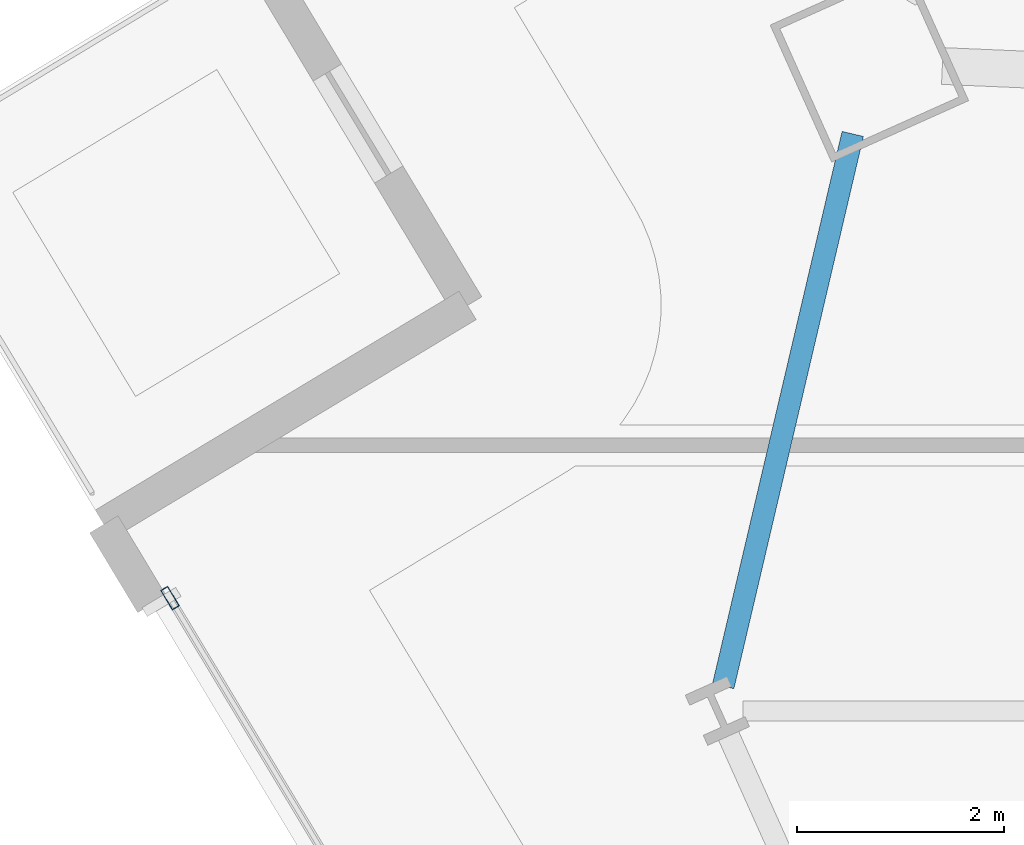
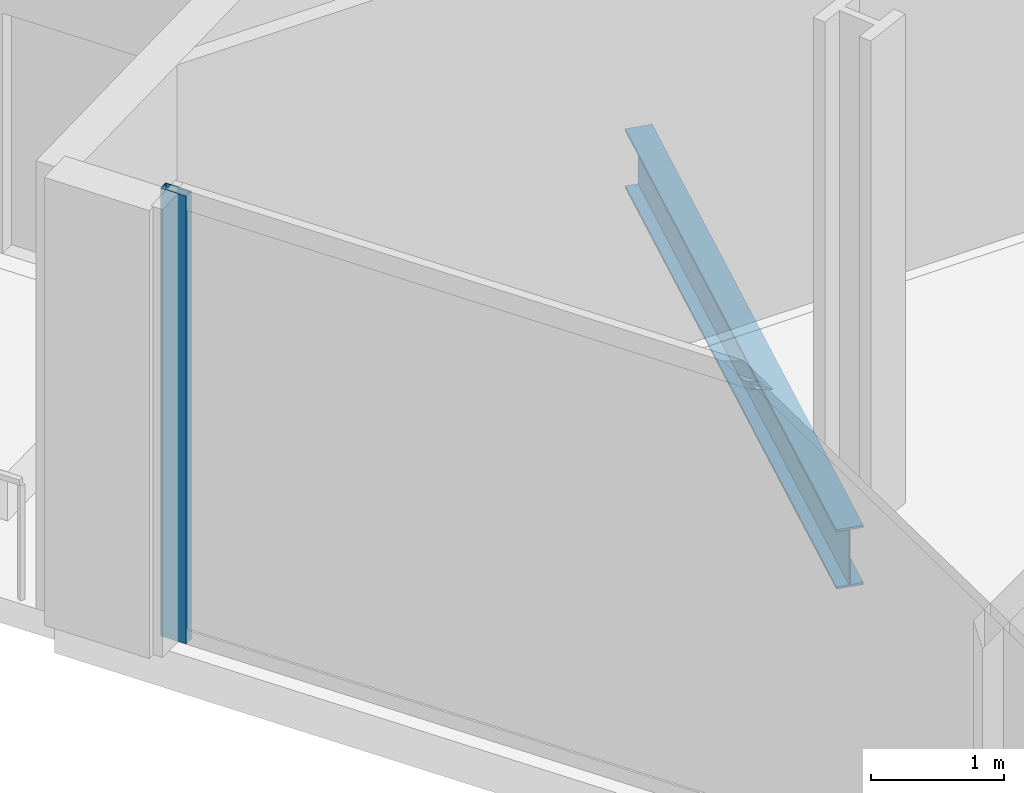
# One storey, part 11 of 30: 1 beam, 1 member, 1 element without a shape of its own.
"""IFC4 building model written with IfcOpenShell, lengths in metres."""

from ifc_helpers import new_model, si_unit, direction, frame, origin, origin_2d, place, context, subcontext, project, spatial, hollow_rectangle, i_section, extrude, material, material_profile, profile_set, type_object, element, aggregate, save


model = new_model("IFC4")

# Units and contexts
model_context = context("Model", 3, precision=1e-05, world=origin(), true_north=direction((0.0, 1.0)))
body_context = subcontext(model_context, "Body", "Model", "MODEL_VIEW")
ifc_project = project(units=[si_unit("LENGTHUNIT", "METRE"), si_unit("AREAUNIT", "SQUARE_METRE"), si_unit("VOLUMEUNIT", "CUBIC_METRE"), si_unit("PLANEANGLEUNIT", "RADIAN"), si_unit("MASSUNIT", "GRAM", prefix="KILO")], contexts=[model_context])

# Site, building, storey
site_placement = place(None, origin())
site = spatial("IfcSite", under=ifc_project, at=site_placement, CompositionType="ELEMENT")
building_placement = place(site_placement, origin())
building = spatial("IfcBuilding", under=site, at=building_placement, Name="Haldenkirk Collegiate Tower", CompositionType="ELEMENT")
storey_placement = place(building_placement, frame((0.0, 0.0, 131.699951171875)))
storey = spatial("IfcBuildingStorey", under=building, at=storey_placement, Name="L32", CompositionType="ELEMENT", Elevation=131.699951171875)

# Beam
ifc_material_1 = material(Name="Steel ASTM A992 Grade 50", Category="steel")
ifc_material_profile_1 = material_profile(ifc_material_1, i_section(OverallWidth=0.2119140625, OverallDepth=0.5439453125, WebThickness=0.01318359375, FlangeThickness=0.021240234375, at=origin_2d()), Name="W21X83")
ifc_profile_set_1 = profile_set([ifc_material_profile_1], Name="Steel ASTM A992 Grade 50")
beam_type = type_object("IfcBeamType", Name="BM-SPANDREL-W21X83", PredefinedType="SPANDREL", material=ifc_profile_set_1)
beam_placement = place(storey_placement, frame((10.624755859375, 34.0087890625, -0.6220703125), z_axis=(-0.228373515871, -0.97357359108, 0.0), x_axis=(0.97357359108, -0.228373515871, 0.0)))
element("IfcBeam", 1, at=beam_placement, inside=storey, type_object=beam_type, Name="L32 perimeter spandrel beam 13", PredefinedType="SPANDREL", context=body_context, shape_type="SweptSolid", body=[
    extrude(i_section(OverallWidth=0.2119140625, OverallDepth=0.5439453125, WebThickness=0.01318359375, FlangeThickness=0.021240234375, at=origin_2d()), origin(), (0.0, 0.0, 1.0), 5.477783203125),
])

# Curtain wall, member
ifc_material_2 = material(Name="Anodised architectural bronze aluminium", Category="aluminium")
curtain_wall_type = type_object("IfcCurtainWallType", Name="CW-SYS1-CONVEX-LOW", PredefinedType="USERDEFINED", material=ifc_material_2)
curtain_wall_placement = place(storey_placement, origin())
curtain_wall = element("IfcCurtainWall", 2, at=curtain_wall_placement, inside=storey, type_object=curtain_wall_type, Name="L32 Lower tower convex bronze-framed unitised curtain wall", ObjectType="UNITISED CURTAIN WALL", PredefinedType="USERDEFINED")
ifc_material_profile_2 = material_profile(ifc_material_2, hollow_rectangle(XDim=0.080078125, YDim=0.219970703125, WallThickness=0.0048828125, at=origin_2d()), Name="CW-MUL-1A")
ifc_profile_set_2 = profile_set([ifc_material_profile_2], Name="Anodised architectural bronze aluminium")
member_type = type_object("IfcMemberType", Name="CW-MUL-1A", PredefinedType="MULLION", material=ifc_profile_set_2)
member_placement = place(storey_placement, frame((4.03076171875, 29.52587890625, 0.0), z_axis=(0.0, 0.0, 1.0), x_axis=(-0.85671798361, -0.515785126345, 0.0)))
member = element("IfcMember", 3, at=member_placement, type_object=member_type, Name="CW-1A mullion 5", PredefinedType="MULLION", context=body_context, shape_type="SweptSolid", body=[
    extrude(hollow_rectangle(XDim=0.080078125, YDim=0.219970703125, WallThickness=0.0048828125, at=origin_2d()), origin(), (0.0, 0.0, 1.0), 4.10009765625),
])
aggregate(curtain_wall, [member])

save(model, "model.ifc")
